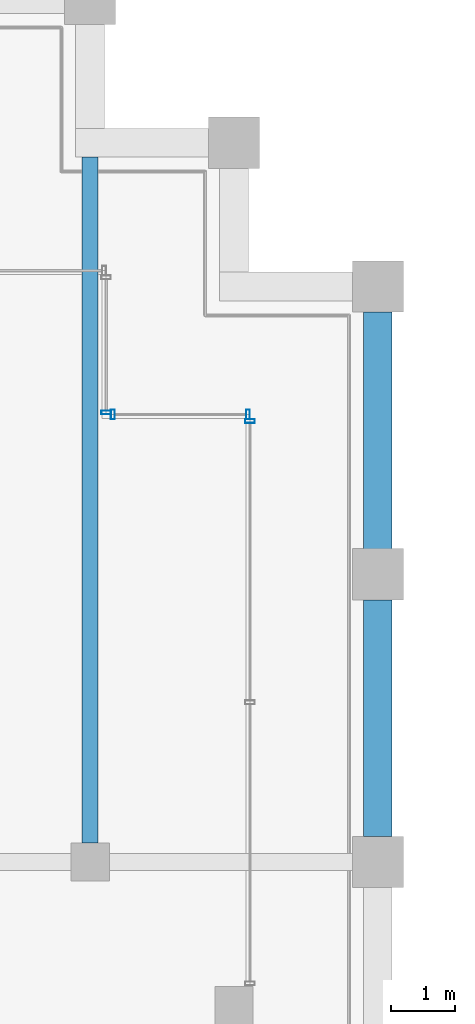
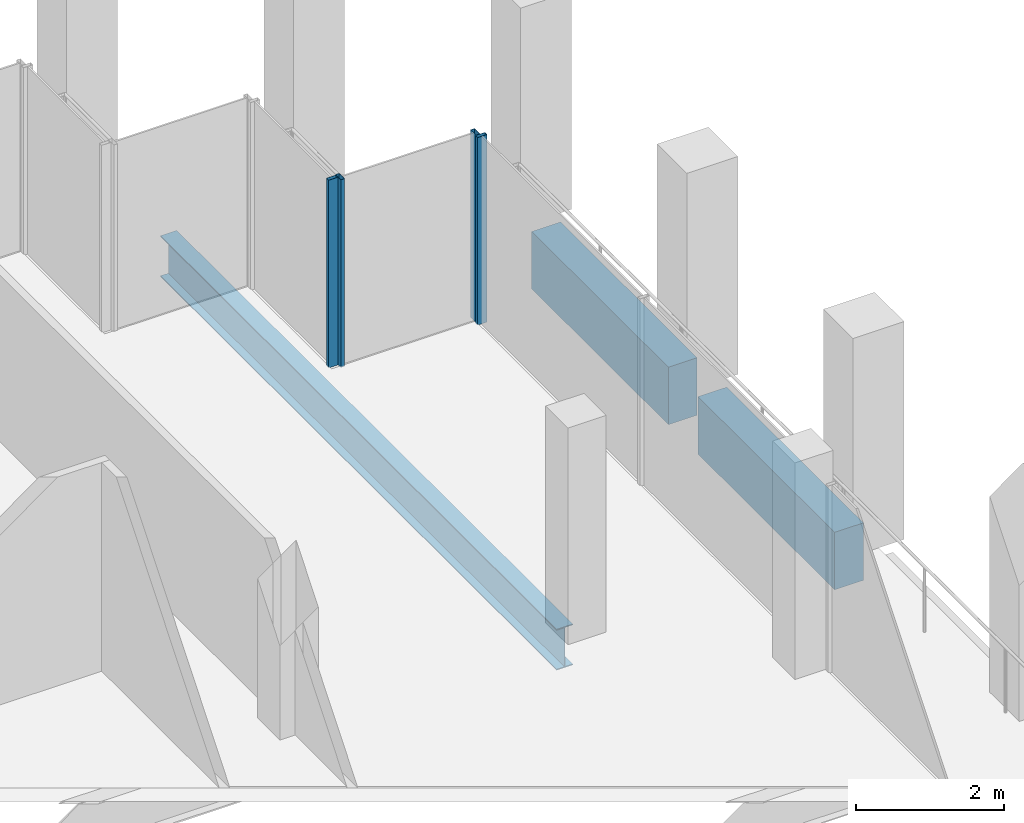
# One storey, part 25 of 40: 4 members, 3 beams, 3 elements without a shape of their own.
"""IFC4 building model written with IfcOpenShell, lengths in metres."""

from ifc_helpers import new_model, si_unit, direction, frame, origin, origin_2d, place, context, subcontext, project, spatial, rectangle, hollow_rectangle, i_section, extrude, material, material_profile, profile_set, type_object, element, aggregate, save


model = new_model("IFC4")

# Units and contexts
model_context = context("Model", 3, precision=1e-05, world=origin(), true_north=direction((0.0, 1.0)))
body_context = subcontext(model_context, "Body", "Model", "MODEL_VIEW")
ifc_project = project(units=[si_unit("LENGTHUNIT", "METRE"), si_unit("AREAUNIT", "SQUARE_METRE"), si_unit("VOLUMEUNIT", "CUBIC_METRE"), si_unit("PLANEANGLEUNIT", "RADIAN"), si_unit("MASSUNIT", "GRAM", prefix="KILO")], contexts=[model_context])

# Site, building, storey
site_placement = place(None, origin())
site = spatial("IfcSite", under=ifc_project, at=site_placement, CompositionType="ELEMENT")
building_placement = place(site_placement, origin())
building = spatial("IfcBuilding", under=site, at=building_placement, Name="Altepetl Exchange Towers", CompositionType="ELEMENT")
storey_placement = place(building_placement, frame((0.0, 0.0, 202.800048828125)))
storey = spatial("IfcBuildingStorey", under=building, at=storey_placement, Name="L51", CompositionType="ELEMENT", Elevation=202.800048828125)

# Beam
ifc_material_1 = material(Name="Steel S355", Category="steel")
ifc_material_profile_1 = material_profile(ifc_material_1, i_section(OverallWidth=0.2529296875, OverallDepth=0.677978515625, WebThickness=0.01171875, FlangeThickness=0.016357421875, at=origin_2d()), Name="W27X84")
ifc_profile_set_1 = profile_set([ifc_material_profile_1], Name="Steel S355")
beam_type_1 = type_object("IfcBeamType", Name="Floor beam W27X84", PredefinedType="BEAM", material=ifc_profile_set_1)
beam_placement = place(storey_placement, frame((67.5, 58.800048828125, -0.489013671875), z_axis=(0.0, 1.0, 0.0), x_axis=(-1.0, 0.0, 0.0)))
element("IfcBeam", 1, at=beam_placement, inside=storey, type_object=beam_type_1, Name="bm:A:L51:005", PredefinedType="BEAM", context=body_context, shape_type="SweptSolid", body=[
    extrude(i_section(OverallWidth=0.2529296875, OverallDepth=0.677978515625, WebThickness=0.01171875, FlangeThickness=0.016357421875, at=origin_2d()), origin(), (0.0, 0.0, 1.0), 10.724853515625),
])

# Curtain wall, member
ifc_material_2 = material(Name="Aluminium 6063-T6 glazing", Category="aluminium")
curtain_wall_type = type_object("IfcCurtainWallType", Name="Loggia glazing system", PredefinedType="NOTDEFINED", material=ifc_material_2)
curtain_wall_1_placement = place(storey_placement, origin())
curtain_wall_1 = element("IfcCurtainWall", 2, at=curtain_wall_1_placement, inside=storey, type_object=curtain_wall_type, Name="CW1 run", PredefinedType="NOTDEFINED")
ifc_material_3 = material(Name="Aluminium 6063-T6", Category="aluminium")
ifc_material_profile_2 = material_profile(ifc_material_3, hollow_rectangle(XDim=0.06005859375, YDim=0.14990234375, WallThickness=0.0029296875, at=origin_2d()), Name="Mullion 60x150 aluminium")
ifc_profile_set_2 = profile_set([ifc_material_profile_2], Name="Aluminium 6063-T6")
member_type = type_object("IfcMemberType", Name="Mullion 60x150 aluminium", PredefinedType="MULLION", material=ifc_profile_set_2)
member_1_placement = place(storey_placement, frame((70.0, 65.39501953125, 0.0), z_axis=(0.0, 0.0, 1.0), x_axis=(0.0, 1.0, 0.0)))
member_1 = element("IfcMember", 3, at=member_1_placement, type_object=member_type, Name="MU1 mullion", PredefinedType="MULLION", context=body_context, shape_type="SweptSolid", body=[
    extrude(hollow_rectangle(XDim=0.06005859375, YDim=0.14990234375, WallThickness=0.0029296875, at=origin_2d()), origin(), (0.0, 0.0, 1.0), 3.099853515625),
])
aggregate(curtain_wall_1, [member_1])

# Curtain wall, members
curtain_wall_2_placement = place(storey_placement, origin())
curtain_wall_2 = element("IfcCurtainWall", 4, at=curtain_wall_2_placement, inside=storey, type_object=curtain_wall_type, Name="CW1 run", PredefinedType="NOTDEFINED")
member_2_placement = place(storey_placement, frame((69.969970703125, 65.5, 0.0), z_axis=(0.0, 0.0, 1.0), x_axis=(-1.0, 0.0, 0.0)))
member_2 = element("IfcMember", 5, at=member_2_placement, type_object=member_type, Name="MU1 mullion", PredefinedType="MULLION", context=body_context, shape_type="SweptSolid", body=[
    extrude(hollow_rectangle(XDim=0.06005859375, YDim=0.14990234375, WallThickness=0.0029296875, at=origin_2d()), origin(), (0.0, 0.0, 1.0), 3.099853515625),
])
member_3_placement = place(storey_placement, frame((67.85498046875, 65.5, 0.0), z_axis=(0.0, 0.0, 1.0), x_axis=(-1.0, 0.0, 0.0)))
member_3 = element("IfcMember", 6, at=member_3_placement, type_object=member_type, Name="MU1 mullion", PredefinedType="MULLION", context=body_context, shape_type="SweptSolid", body=[
    extrude(hollow_rectangle(XDim=0.06005859375, YDim=0.14990234375, WallThickness=0.0029296875, at=origin_2d()), origin(), (0.0, 0.0, 1.0), 3.099853515625),
])
aggregate(curtain_wall_2, [member_2, member_3])

# Curtain wall, member
curtain_wall_3_placement = place(storey_placement, origin())
curtain_wall_3 = element("IfcCurtainWall", 7, at=curtain_wall_3_placement, inside=storey, type_object=curtain_wall_type, Name="CW1 run", PredefinedType="NOTDEFINED")
member_4_placement = place(storey_placement, frame((67.75, 65.530029296875, 0.0), z_axis=(0.0, 0.0, 1.0), x_axis=(0.0, 1.0, 0.0)))
member_4 = element("IfcMember", 8, at=member_4_placement, type_object=member_type, Name="MU1 mullion", PredefinedType="MULLION", context=body_context, shape_type="SweptSolid", body=[
    extrude(hollow_rectangle(XDim=0.06005859375, YDim=0.14990234375, WallThickness=0.0029296875, at=origin_2d()), origin(), (0.0, 0.0, 1.0), 3.099853515625),
])
aggregate(curtain_wall_3, [member_4])

# Beams
ifc_material_4 = material(Name="Concrete C50/60 precast with cantera rosa facing", Category="concrete")
ifc_material_profile_3 = material_profile(ifc_material_4, rectangle(XDim=0.449951171875, YDim=0.949951171875, at=origin_2d()), Name="450 x 950")
ifc_profile_set_3 = profile_set([ifc_material_profile_3], Name="Concrete C50/60 precast with cantera rosa facing")
beam_type_2 = type_object("IfcBeamType", Name="Spandrel beam 450x950 cantera rosa", PredefinedType="SPANDREL", material=ifc_profile_set_3)
for number, where, z_axis, x_axis, name in (
    (9, (72.0, 58.89990234375, -0.625), (0.0, 1.0, 0.0), (-1.0, 0.0, 0.0), "sp:A:L51:018"),
    (10, (72.0, 63.39990234375, -0.625), (0.0, 1.0, 0.0), (-1.0, 0.0, 0.0), "sp:A:L51:019"),
):
    element("IfcBeam", number, at=place(storey_placement, frame(where, z_axis=z_axis, x_axis=x_axis)), inside=storey, type_object=beam_type_2, Name=name, PredefinedType="SPANDREL", context=body_context, shape_type="SweptSolid", body=[
        extrude(rectangle(XDim=0.449951171875, YDim=0.949951171875, at=origin_2d()), origin(), (0.0, 0.0, 1.0), 3.7001953125),
    ])

save(model, "model.ifc")
